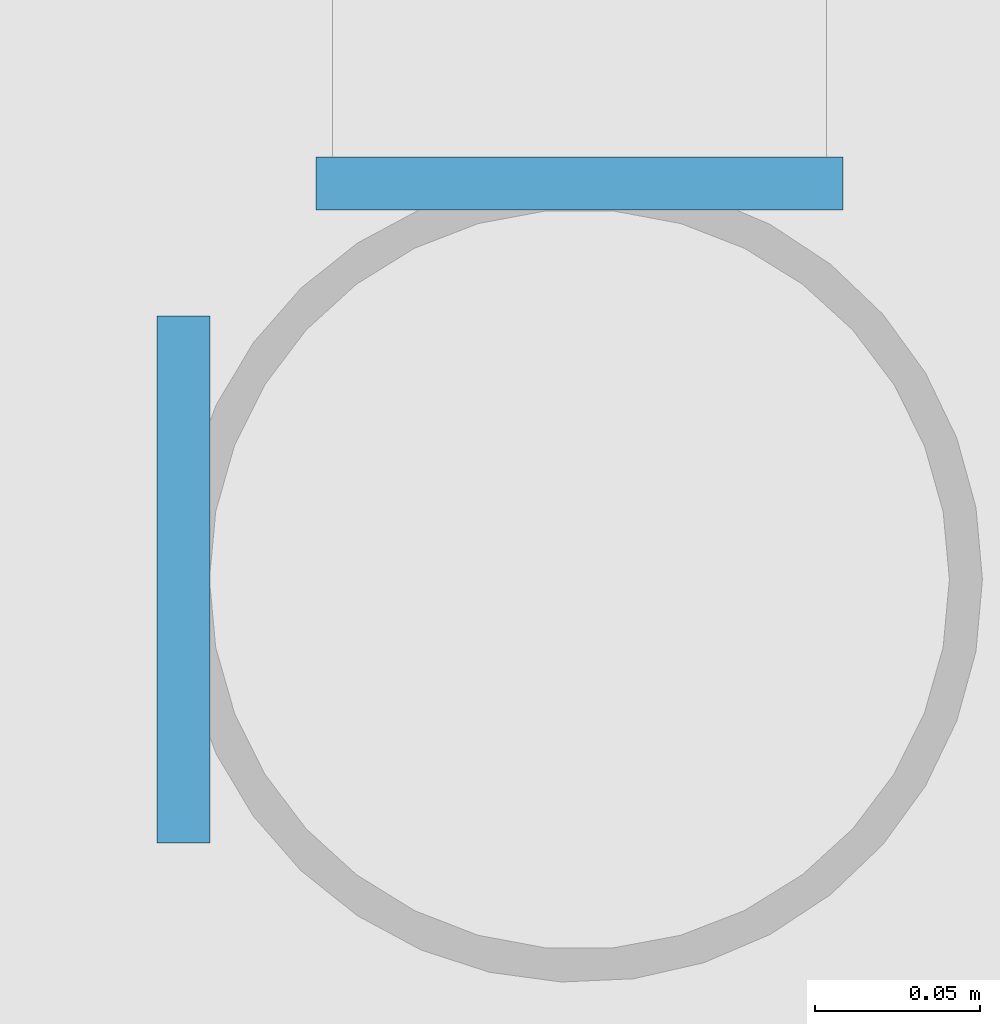
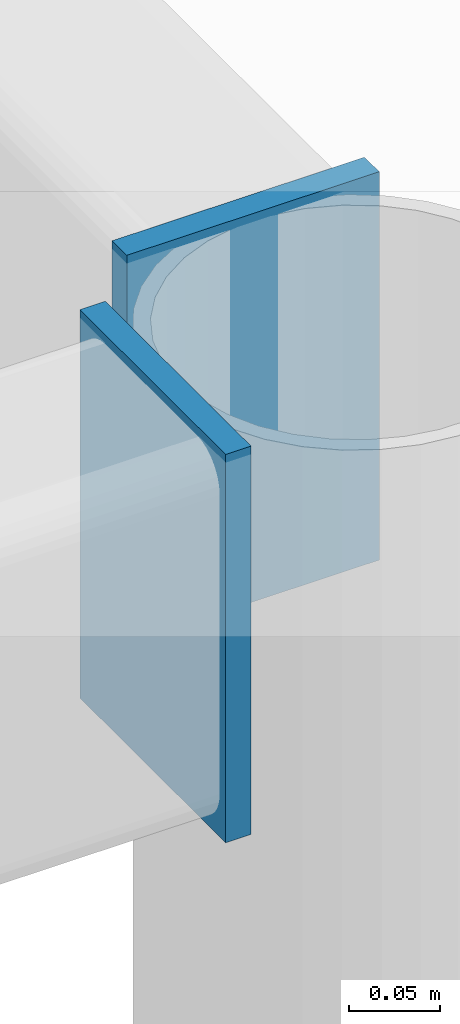
# One storey, part 41 of 76: 2 plates.
"""IFC4 building model written with IfcOpenShell, lengths in metres."""

from ifc_helpers import new_model, si_unit, direction, frame, origin, origin_2d, place, context, subcontext, project, spatial, rectangle, extrude, material, layer, layer_set, type_object, element, save


model = new_model("IFC4")

# Units and contexts
model_context = context("Model", 3, precision=1e-05, world=origin(), true_north=direction((0.0, 1.0)))
body_context = subcontext(model_context, "Body", "Model", "MODEL_VIEW")
ifc_project = project(units=[si_unit("LENGTHUNIT", "METRE"), si_unit("AREAUNIT", "SQUARE_METRE"), si_unit("VOLUMEUNIT", "CUBIC_METRE"), si_unit("PLANEANGLEUNIT", "RADIAN"), si_unit("MASSUNIT", "GRAM", prefix="KILO")], contexts=[model_context])

# Site, building, storey
site_placement = place(None, origin())
site = spatial("IfcSite", under=ifc_project, at=site_placement, CompositionType="ELEMENT")
building_placement = place(site_placement, origin())
building = spatial("IfcBuilding", under=site, at=building_placement, Name="Bozkorgan Art Gallery", CompositionType="ELEMENT")
storey_placement = place(building_placement, origin())
storey = spatial("IfcBuildingStorey", under=building, at=storey_placement, Name="L00", CompositionType="ELEMENT", Elevation=0.0)

# Plates
ifc_material = material(Name="Steel S355J2", Category="steel")
ifc_layer = layer(ifc_material, 0.01611328125, Name="Steel S355J2")
ifc_layer_set = layer_set([ifc_layer], Name="Steel S355J2")
plate_type = type_object("IfcPlateType", Name="PLATE-EC-14", PredefinedType="USERDEFINED", material=ifc_layer_set)
for number, where, z_axis, x_axis, name in (
    (1, (98.8798828125, 31.199951171875, 4.044921875), (0.0, 0.0, 1.0), (1.0, 0.0, 0.0), "Auditorium Foyer Covered Walk chord end cap 1.2"),
    (2, (99.0, 31.320068359375, 4.044921875), (0.0, 0.0, 1.0), (0.0, 1.0, 0.0), "Auditorium Foyer Covered Walk chord end cap 2.1"),
):
    element("IfcPlate", number, at=place(storey_placement, frame(where, z_axis=z_axis, x_axis=x_axis)), inside=storey, type_object=plate_type, Name=name, ObjectType="END CAP PLATE", PredefinedType="USERDEFINED", context=body_context, shape_type="SweptSolid", body=[
        extrude(rectangle(XDim=0.01611328125, YDim=0.159912109375, at=origin_2d()), origin(), (0.0, 0.0, 1.0), 0.260009765625),
    ])

save(model, "model.ifc")
